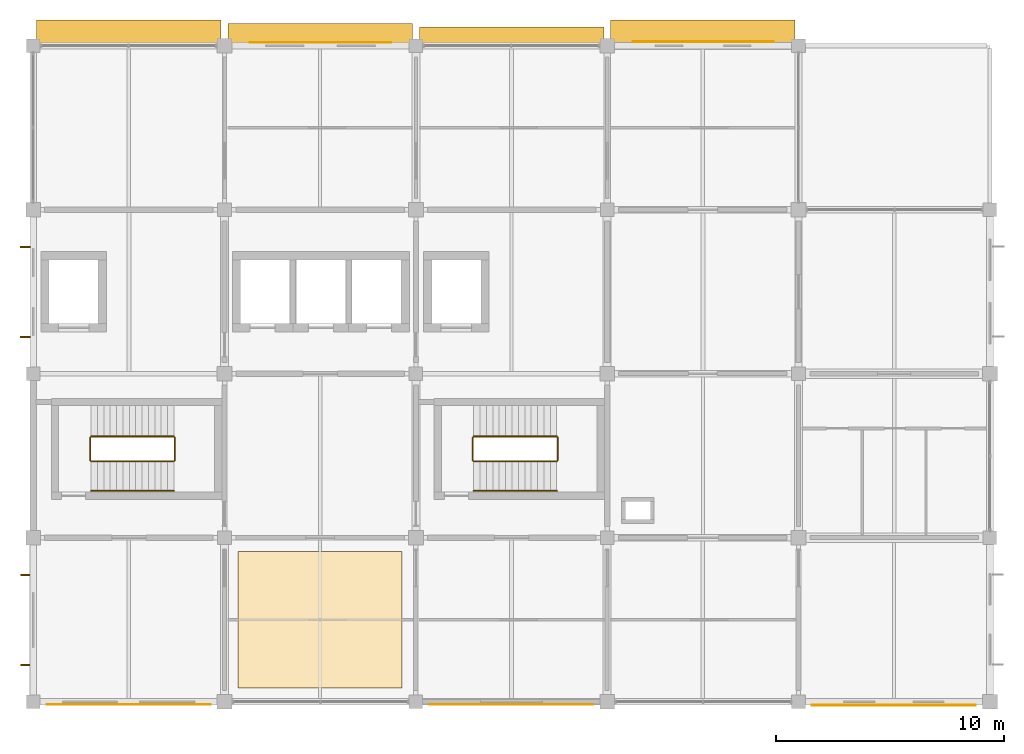
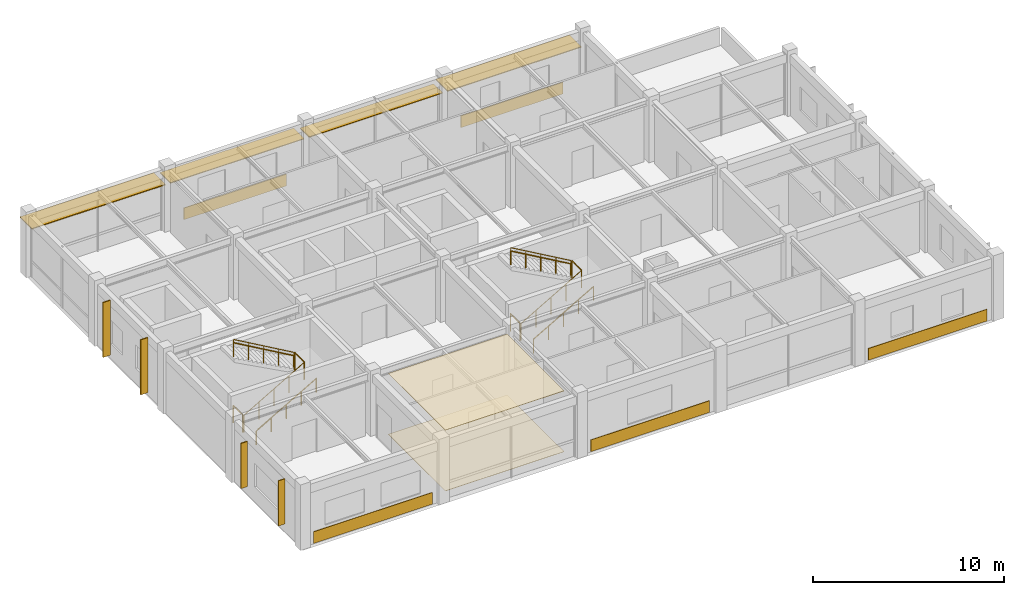
# One storey, part 12 of 13: 12 railings, 8 shading devices, 7 coverings.
"""IFC4 building model written with IfcOpenShell, lengths in metres."""

from ifc_helpers import new_model, si_unit, derived_unit, direction, frame, origin, origin_2d, place, context, subcontext, project, spatial, polyline, rectangle, circle, outline, extrude, material, layer, layer_set, type_object, element, save


model = new_model("IFC4")

# Units and contexts
model_context = context("Model", 3, precision=1e-05, world=origin(), true_north=direction((0.0, 1.0)))
body_context = subcontext(model_context, "Body", "Model", "MODEL_VIEW")
ifc_project = project(units=[si_unit("LENGTHUNIT", "METRE"), si_unit("AREAUNIT", "SQUARE_METRE"), si_unit("VOLUMEUNIT", "CUBIC_METRE"), si_unit("PLANEANGLEUNIT", "RADIAN"), si_unit("MASSUNIT", "GRAM", prefix="KILO"), derived_unit("THERMALTRANSMITTANCEUNIT", [(si_unit("MASSUNIT", "GRAM", prefix="KILO"), 1), (si_unit("TIMEUNIT", "SECOND"), -3), (si_unit("THERMODYNAMICTEMPERATUREUNIT", "KELVIN"), -1)])], contexts=[model_context])

# Site, building, storey
site_placement = place(None, origin())
site = spatial("IfcSite", under=ifc_project, at=site_placement, CompositionType="ELEMENT")
building_placement = place(site_placement, origin())
building = spatial("IfcBuilding", under=site, at=building_placement, Name="Veldstrom Oceanarium and Marine Research Institute", CompositionType="ELEMENT")
storey_placement = place(building_placement, frame((0.0, 0.0, 52.199951171875)))
storey = spatial("IfcBuildingStorey", under=building, at=storey_placement, Name="L11", CompositionType="ELEMENT", Elevation=52.199951171875)

# Coverings
ifc_material_1 = material(Name="Anodised Aluminium Spandrel Rainscreen Cladding", Category="aluminium")
ifc_layer_1 = layer(ifc_material_1, 0.75)
ifc_layer_set_1 = layer_set([ifc_layer_1], Name="ARC-COV-CD1")
covering_type_1 = type_object("IfcCoveringType", Name="ARC-COV-CD1", PredefinedType="CLADDING", material=ifc_layer_set_1)
for number, where, z_axis, x_axis, name in (
    (1, (79.78759765625, 43.0791015625, 0.045166015625), (0.0, 0.0, 1.0), (1.0, 0.0, 0.0), "Spandrel Rainscreen Cladding L11-146"),
    (2, (96.58740234375, 43.0791015625, 0.045166015625), (0.0, 0.0, 1.0), (1.0, 0.0, 0.0), "Spandrel Rainscreen Cladding L11-150"),
    (3, (113.387451171875, 43.04150390625, 0.045166015625), (0.0, 0.0, 1.0), (1.0, 0.0, 0.0), "Spandrel Rainscreen Cladding L11-152"),
):
    element("IfcCovering", number, at=place(storey_placement, frame(where, z_axis=z_axis, x_axis=x_axis)), inside=storey, type_object=covering_type_1, Name=name, PredefinedType="CLADDING", context=body_context, shape_type="SweptSolid", body=[
        extrude(rectangle(XDim=7.199951171875, YDim=0.034912109375, at=origin_2d()), origin(), (0.0, 0.0, 1.0), 0.75),
    ])
ifc_material_2 = material(Name="Terracotta Spandrel Rainscreen Cladding", Category="masonry")
ifc_layer_2 = layer(ifc_material_2, 0.75)
ifc_layer_set_2 = layer_set([ifc_layer_2], Name="ARC-COV-CD2")
covering_type_2 = type_object("IfcCoveringType", Name="ARC-COV-CD2", PredefinedType="CLADDING", material=ifc_layer_set_2)
for number, where, z_axis, x_axis, name in (
    (4, (88.21240234375, 72.14111328125, 0.045166015625), (0.0, 0.0, 1.0), (1.0, 0.0, 0.0), "Spandrel Rainscreen Cladding L11-149"),
    (5, (105.012451171875, 72.1708984375, 0.045166015625), (0.0, 0.0, 1.0), (1.0, 0.0, 0.0), "Spandrel Rainscreen Cladding L11-151"),
):
    element("IfcCovering", number, at=place(storey_placement, frame(where, z_axis=z_axis, x_axis=x_axis)), inside=storey, type_object=covering_type_2, Name=name, PredefinedType="CLADDING", context=body_context, shape_type="SweptSolid", body=[
        extrude(rectangle(XDim=6.199951171875, YDim=0.0400390625, at=origin_2d()), origin(), (0.0, 0.0, 1.0), 0.75),
    ])
ifc_material_3 = material(Name="Mineral-Fibre Acoustic Ceiling Tile", Category="gypsum")
ifc_layer_3 = layer(ifc_material_3, 0.02490234375)
ifc_layer_set_3 = layer_set([ifc_layer_3], Name="ARC-COV-CL1")
covering_type_3 = type_object("IfcCoveringType", Name="ARC-COV-CL1", PredefinedType="CEILING", material=ifc_layer_set_3)
covering_1_placement = place(storey_placement, frame((0.0, 0.0, 3.89501953125)))
element("IfcCovering", 6, at=covering_1_placement, inside=storey, type_object=covering_type_3, Name="Suspended Acoustic Ceiling L11", PredefinedType="CEILING", context=body_context, shape_type="SweptSolid", body=[
    extrude(outline(polyline([(84.60009765625, 43.800048828125), (91.800048828125, 43.800048828125), (91.800048828125, 49.800048828125), (84.60009765625, 49.800048828125), (84.60009765625, 43.800048828125)])), origin(), (0.0, 0.0, 1.0), 0.025146484375),
])
ifc_material_4 = material(Name="Polished Terrazzo and Marine Epoxy Flooring", Category="concrete")
ifc_layer_4 = layer(ifc_material_4, 0.02001953125)
ifc_layer_set_4 = layer_set([ifc_layer_4], Name="ARC-COV-FL1")
covering_type_4 = type_object("IfcCoveringType", Name="ARC-COV-FL1", PredefinedType="FLOORING", material=ifc_layer_set_4)
covering_2_placement = place(storey_placement, origin())
element("IfcCovering", 7, at=covering_2_placement, inside=storey, type_object=covering_type_4, Name="Terrazzo and Marine Epoxy Floor Finish L11", PredefinedType="FLOORING", context=body_context, shape_type="SweptSolid", body=[
    extrude(outline(polyline([(84.60009765625, 43.800048828125), (91.800048828125, 43.800048828125), (91.800048828125, 49.800048828125), (84.60009765625, 49.800048828125), (84.60009765625, 43.800048828125)])), origin(), (0.0, 0.0, 1.0), 0.02001953125),
])

# Railings
ifc_material_5 = material(Name="Duplex Stainless Steel Balustrade", Category="steel")
ifc_layer_5 = layer(ifc_material_5, 0.06005859375)
ifc_layer_set_5 = layer_set([ifc_layer_5], Name="ARC-RLG-GR1")
railing_type_1 = type_object("IfcRailingType", Name="ARC-RLG-GR1", PredefinedType="GUARDRAIL", material=ifc_layer_set_5)
railing_1_placement = place(storey_placement, frame((78.10009765625, 53.800048828125, 0.0)))
element("IfcRailing", 8, at=railing_1_placement, inside=storey, type_object=railing_type_1, Name="Stair Well Landing Guard ST1 L11", PredefinedType="GUARDRAIL", context=body_context, shape_type="SweptSolid", body=[
    extrude(circle(Radius=0.02392578125, at=origin_2d()), frame((0.0, 0.0, 1.09619140625), z_axis=(0.0, 1.0, 0.0), x_axis=(-1.0, 0.0, 0.0)), (0.0, 0.0, 1.0), 1.0),
    extrude(circle(Radius=0.02099609375, at=origin_2d()), origin(), (0.0, 0.0, 1.0), 1.072021484375),
    extrude(circle(Radius=0.02099609375, at=origin_2d()), frame((0.0, 1.0, 0.0)), (0.0, 0.0, 1.0), 1.072021484375),
])
railing_2_placement = place(storey_placement, frame((78.139892578125, 53.760009765625, 0.0)))
element("IfcRailing", 9, at=railing_2_placement, inside=storey, type_object=railing_type_1, Name="Stair Flight Guardrail ST1-L11-1", PredefinedType="GUARDRAIL", context=body_context, shape_type="SweptSolid", body=[
    extrude(circle(Radius=0.02392578125, at=origin_2d()), frame((0.0, 0.0, 1.09619140625), z_axis=(0.86618365172, 0.0, 0.499725806311), x_axis=(0.0, 1.0, 0.0)), (0.0, 0.0, 1.0), 4.202392578125),
    extrude(circle(Radius=0.02099609375, at=origin_2d()), origin(), (0.0, 0.0, 1.0), 1.072021484375),
    extrude(circle(Radius=0.02099609375, at=origin_2d()), frame((0.91015625, 0.0, 0.52490234375)), (0.0, 0.0, 1.0), 1.072021484375),
    extrude(circle(Radius=0.02099609375, at=origin_2d()), frame((1.820068359375, 0.0, 1.050048828125)), (0.0, 0.0, 1.0), 1.072021484375),
    extrude(circle(Radius=0.02099609375, at=origin_2d()), frame((2.72998046875, 0.0, 1.5751953125)), (0.0, 0.0, 1.0), 1.072021484375),
    extrude(circle(Radius=0.02099609375, at=origin_2d()), frame((3.64013671875, 0.0, 2.10009765625)), (0.0, 0.0, 1.0), 1.072021484375),
])
railing_3_placement = place(storey_placement, frame((81.820068359375, 53.800048828125, 2.10009765625)))
element("IfcRailing", 10, at=railing_3_placement, inside=storey, type_object=railing_type_1, Name="Stair Half-Landing Guardrail ST1-L11", PredefinedType="GUARDRAIL", context=body_context, shape_type="SweptSolid", body=[
    extrude(circle(Radius=0.02392578125, at=origin_2d()), frame((0.0, 0.0, 1.09619140625), z_axis=(0.0, 1.0, 0.0), x_axis=(-1.0, 0.0, 0.0)), (0.0, 0.0, 1.0), 1.0),
    extrude(circle(Radius=0.02099609375, at=origin_2d()), origin(), (0.0, 0.0, 1.0), 1.072021484375),
    extrude(circle(Radius=0.02099609375, at=origin_2d()), frame((0.0, 1.0, 0.0)), (0.0, 0.0, 1.0), 1.072021484375),
])
railing_4_placement = place(storey_placement, frame((81.780029296875, 54.840087890625, 2.10009765625)))
element("IfcRailing", 11, at=railing_4_placement, inside=storey, type_object=railing_type_1, Name="Stair Flight Guardrail ST1-L11-2", PredefinedType="GUARDRAIL", context=body_context, shape_type="SweptSolid", body=[
    extrude(circle(Radius=0.02392578125, at=origin_2d()), frame((0.0, 0.0, 1.09619140625), z_axis=(-0.866208797654, 0.0, 0.499682217882), x_axis=(0.0, -1.0, 0.0)), (0.0, 0.0, 1.0), 4.202392578125),
    extrude(circle(Radius=0.02099609375, at=origin_2d()), origin(), (0.0, 0.0, 1.0), 1.072021484375),
    extrude(circle(Radius=0.02099609375, at=origin_2d()), frame((-0.91015625, 0.0, 0.52490234375)), (0.0, 0.0, 1.0), 1.072021484375),
    extrude(circle(Radius=0.02099609375, at=origin_2d()), frame((-1.820068359375, 0.0, 1.0498046875)), (0.0, 0.0, 1.0), 1.072021484375),
    extrude(circle(Radius=0.02099609375, at=origin_2d()), frame((-2.72998046875, 0.0, 1.574951171875)), (0.0, 0.0, 1.0), 1.072021484375),
    extrude(circle(Radius=0.02099609375, at=origin_2d()), frame((-3.64013671875, 0.0, 2.099853515625)), (0.0, 0.0, 1.0), 1.072021484375),
])
railing_5_placement = place(storey_placement, frame((94.89990234375, 53.800048828125, 0.0)))
element("IfcRailing", 12, at=railing_5_placement, inside=storey, type_object=railing_type_1, Name="Stair Well Landing Guard ST2 L11", PredefinedType="GUARDRAIL", context=body_context, shape_type="SweptSolid", body=[
    extrude(circle(Radius=0.02392578125, at=origin_2d()), frame((0.0, 0.0, 1.09619140625), z_axis=(0.0, 1.0, 0.0), x_axis=(-1.0, 0.0, 0.0)), (0.0, 0.0, 1.0), 1.0),
    extrude(circle(Radius=0.02099609375, at=origin_2d()), origin(), (0.0, 0.0, 1.0), 1.072021484375),
    extrude(circle(Radius=0.02099609375, at=origin_2d()), frame((0.0, 1.0, 0.0)), (0.0, 0.0, 1.0), 1.072021484375),
])
railing_6_placement = place(storey_placement, frame((94.93994140625, 53.760009765625, 0.0)))
element("IfcRailing", 13, at=railing_6_placement, inside=storey, type_object=railing_type_1, Name="Stair Flight Guardrail ST2-L11-1", PredefinedType="GUARDRAIL", context=body_context, shape_type="SweptSolid", body=[
    extrude(circle(Radius=0.02392578125, at=origin_2d()), frame((0.0, 0.0, 1.09619140625), z_axis=(0.86618365172, 0.0, 0.499725806311), x_axis=(0.0, 1.0, 0.0)), (0.0, 0.0, 1.0), 4.202392578125),
    extrude(circle(Radius=0.02099609375, at=origin_2d()), origin(), (0.0, 0.0, 1.0), 1.072021484375),
    extrude(circle(Radius=0.02099609375, at=origin_2d()), frame((0.91015625, 0.0, 0.52490234375)), (0.0, 0.0, 1.0), 1.072021484375),
    extrude(circle(Radius=0.02099609375, at=origin_2d()), frame((1.820068359375, 0.0, 1.050048828125)), (0.0, 0.0, 1.0), 1.072021484375),
    extrude(circle(Radius=0.02099609375, at=origin_2d()), frame((2.72998046875, 0.0, 1.5751953125)), (0.0, 0.0, 1.0), 1.072021484375),
    extrude(circle(Radius=0.02099609375, at=origin_2d()), frame((3.64013671875, 0.0, 2.10009765625)), (0.0, 0.0, 1.0), 1.072021484375),
])
railing_7_placement = place(storey_placement, frame((98.6201171875, 53.800048828125, 2.10009765625)))
element("IfcRailing", 14, at=railing_7_placement, inside=storey, type_object=railing_type_1, Name="Stair Half-Landing Guardrail ST2-L11", PredefinedType="GUARDRAIL", context=body_context, shape_type="SweptSolid", body=[
    extrude(circle(Radius=0.02392578125, at=origin_2d()), frame((0.0, 0.0, 1.09619140625), z_axis=(0.0, 1.0, 0.0), x_axis=(-1.0, 0.0, 0.0)), (0.0, 0.0, 1.0), 1.0),
    extrude(circle(Radius=0.02099609375, at=origin_2d()), origin(), (0.0, 0.0, 1.0), 1.072021484375),
    extrude(circle(Radius=0.02099609375, at=origin_2d()), frame((0.0, 1.0, 0.0)), (0.0, 0.0, 1.0), 1.072021484375),
])
railing_8_placement = place(storey_placement, frame((98.580078125, 54.840087890625, 2.10009765625)))
element("IfcRailing", 15, at=railing_8_placement, inside=storey, type_object=railing_type_1, Name="Stair Flight Guardrail ST2-L11-2", PredefinedType="GUARDRAIL", context=body_context, shape_type="SweptSolid", body=[
    extrude(circle(Radius=0.02392578125, at=origin_2d()), frame((0.0, 0.0, 1.09619140625), z_axis=(-0.866208797654, 0.0, 0.499682217882), x_axis=(0.0, -1.0, 0.0)), (0.0, 0.0, 1.0), 4.202392578125),
    extrude(circle(Radius=0.02099609375, at=origin_2d()), origin(), (0.0, 0.0, 1.0), 1.072021484375),
    extrude(circle(Radius=0.02099609375, at=origin_2d()), frame((-0.91015625, 0.0, 0.52490234375)), (0.0, 0.0, 1.0), 1.072021484375),
    extrude(circle(Radius=0.02099609375, at=origin_2d()), frame((-1.820068359375, 0.0, 1.0498046875)), (0.0, 0.0, 1.0), 1.072021484375),
    extrude(circle(Radius=0.02099609375, at=origin_2d()), frame((-2.72998046875, 0.0, 1.574951171875)), (0.0, 0.0, 1.0), 1.072021484375),
    extrude(circle(Radius=0.02099609375, at=origin_2d()), frame((-3.64013671875, 0.0, 2.099853515625)), (0.0, 0.0, 1.0), 1.072021484375),
])
ifc_material_6 = material(Name="Brushed Stainless Steel Handrail", Category="steel")
ifc_layer_6 = layer(ifc_material_6, 0.050048828125)
ifc_layer_set_6 = layer_set([ifc_layer_6], Name="ARC-RLG-HR1")
railing_type_2 = type_object("IfcRailingType", Name="ARC-RLG-HR1", PredefinedType="HANDRAIL", material=ifc_layer_set_6)
railing_9_placement = place(storey_placement, frame((78.139892578125, 52.4599609375, 0.0)))
element("IfcRailing", 16, at=railing_9_placement, inside=storey, type_object=railing_type_2, Name="Stair Wall Handrail ST1-L11-1", PredefinedType="HANDRAIL", context=body_context, shape_type="SweptSolid", body=[
    extrude(circle(Radius=0.02392578125, at=origin_2d()), frame((0.0, 0.0, 0.8759765625), z_axis=(0.86618365172, 0.0, 0.499725806311), x_axis=(0.0, 1.0, 0.0)), (0.0, 0.0, 1.0), 4.202392578125),
    extrude(circle(Radius=0.02099609375, at=origin_2d()), origin(), (0.0, 0.0, 1.0), 0.851806640625),
    extrude(circle(Radius=0.02099609375, at=origin_2d()), frame((0.91015625, 0.0, 0.52490234375)), (0.0, 0.0, 1.0), 0.851806640625),
    extrude(circle(Radius=0.02099609375, at=origin_2d()), frame((1.820068359375, 0.0, 1.050048828125)), (0.0, 0.0, 1.0), 0.851806640625),
    extrude(circle(Radius=0.02099609375, at=origin_2d()), frame((2.72998046875, 0.0, 1.5751953125)), (0.0, 0.0, 1.0), 0.851806640625),
    extrude(circle(Radius=0.02099609375, at=origin_2d()), frame((3.64013671875, 0.0, 2.10009765625)), (0.0, 0.0, 1.0), 0.851806640625),
])
railing_10_placement = place(storey_placement, frame((81.780029296875, 54.860107421875, 2.10009765625)))
element("IfcRailing", 17, at=railing_10_placement, inside=storey, type_object=railing_type_2, Name="Stair Wall Handrail ST1-L11-2", PredefinedType="HANDRAIL", context=body_context, shape_type="SweptSolid", body=[
    extrude(circle(Radius=0.02392578125, at=origin_2d()), frame((0.0, 0.0, 0.8759765625), z_axis=(-0.866208797654, 0.0, 0.499682217882), x_axis=(0.0, -1.0, 0.0)), (0.0, 0.0, 1.0), 4.202392578125),
    extrude(circle(Radius=0.02099609375, at=origin_2d()), origin(), (0.0, 0.0, 1.0), 0.851806640625),
    extrude(circle(Radius=0.02099609375, at=origin_2d()), frame((-0.91015625, 0.0, 0.52490234375)), (0.0, 0.0, 1.0), 0.851806640625),
    extrude(circle(Radius=0.02099609375, at=origin_2d()), frame((-1.820068359375, 0.0, 1.0498046875)), (0.0, 0.0, 1.0), 0.851806640625),
    extrude(circle(Radius=0.02099609375, at=origin_2d()), frame((-2.72998046875, 0.0, 1.574951171875)), (0.0, 0.0, 1.0), 0.851806640625),
    extrude(circle(Radius=0.02099609375, at=origin_2d()), frame((-3.64013671875, 0.0, 2.099853515625)), (0.0, 0.0, 1.0), 0.851806640625),
])
railing_11_placement = place(storey_placement, frame((94.93994140625, 52.4599609375, 0.0)))
element("IfcRailing", 18, at=railing_11_placement, inside=storey, type_object=railing_type_2, Name="Stair Wall Handrail ST2-L11-1", PredefinedType="HANDRAIL", context=body_context, shape_type="SweptSolid", body=[
    extrude(circle(Radius=0.02392578125, at=origin_2d()), frame((0.0, 0.0, 0.8759765625), z_axis=(0.86618365172, 0.0, 0.499725806311), x_axis=(0.0, 1.0, 0.0)), (0.0, 0.0, 1.0), 4.202392578125),
    extrude(circle(Radius=0.02099609375, at=origin_2d()), origin(), (0.0, 0.0, 1.0), 0.851806640625),
    extrude(circle(Radius=0.02099609375, at=origin_2d()), frame((0.91015625, 0.0, 0.52490234375)), (0.0, 0.0, 1.0), 0.851806640625),
    extrude(circle(Radius=0.02099609375, at=origin_2d()), frame((1.820068359375, 0.0, 1.050048828125)), (0.0, 0.0, 1.0), 0.851806640625),
    extrude(circle(Radius=0.02099609375, at=origin_2d()), frame((2.72998046875, 0.0, 1.5751953125)), (0.0, 0.0, 1.0), 0.851806640625),
    extrude(circle(Radius=0.02099609375, at=origin_2d()), frame((3.64013671875, 0.0, 2.10009765625)), (0.0, 0.0, 1.0), 0.851806640625),
])
railing_12_placement = place(storey_placement, frame((98.580078125, 54.860107421875, 2.10009765625)))
element("IfcRailing", 19, at=railing_12_placement, inside=storey, type_object=railing_type_2, Name="Stair Wall Handrail ST2-L11-2", PredefinedType="HANDRAIL", context=body_context, shape_type="SweptSolid", body=[
    extrude(circle(Radius=0.02392578125, at=origin_2d()), frame((0.0, 0.0, 0.8759765625), z_axis=(-0.866208797654, 0.0, 0.499682217882), x_axis=(0.0, -1.0, 0.0)), (0.0, 0.0, 1.0), 4.202392578125),
    extrude(circle(Radius=0.02099609375, at=origin_2d()), origin(), (0.0, 0.0, 1.0), 0.851806640625),
    extrude(circle(Radius=0.02099609375, at=origin_2d()), frame((-0.91015625, 0.0, 0.52490234375)), (0.0, 0.0, 1.0), 0.851806640625),
    extrude(circle(Radius=0.02099609375, at=origin_2d()), frame((-1.820068359375, 0.0, 1.0498046875)), (0.0, 0.0, 1.0), 0.851806640625),
    extrude(circle(Radius=0.02099609375, at=origin_2d()), frame((-2.72998046875, 0.0, 1.574951171875)), (0.0, 0.0, 1.0), 0.851806640625),
    extrude(circle(Radius=0.02099609375, at=origin_2d()), frame((-3.64013671875, 0.0, 2.099853515625)), (0.0, 0.0, 1.0), 0.851806640625),
])

# Shading devices
ifc_material_7 = material(Name="Precast Terracotta Brise-Soleil Louvre", Category="masonry")
ifc_layer_7 = layer(ifc_material_7, 3.60009765625)
ifc_layer_set_7 = layer_set([ifc_layer_7], Name="ARC-SHD-BS01")
shading_device_type_1 = type_object("IfcShadingDeviceType", Name="ARC-SHD-BS01", PredefinedType="JALOUSIE", material=ifc_layer_set_7)
for number, where, z_axis, x_axis, name in (
    (20, (75.2451171875, 59.215087890625, 0.199951171875), (0.0, 0.0, 1.0), (1.0, 0.0, 0.0), "Terracotta Brise-Soleil Louvre L11-148"),
    (21, (75.2451171875, 63.159912109375, 0.199951171875), (0.0, 0.0, 1.0), (1.0, 0.0, 0.0), "Terracotta Brise-Soleil Louvre L11-148"),
):
    element("IfcShadingDevice", number, at=place(storey_placement, frame(where, z_axis=z_axis, x_axis=x_axis)), inside=storey, type_object=shading_device_type_1, Name=name, PredefinedType="JALOUSIE", context=body_context, shape_type="SweptSolid", body=[
        extrude(rectangle(XDim=0.449951171875, YDim=0.06005859375, at=origin_2d()), origin(), (0.0, 0.0, 1.0), 3.52001953125),
    ])
ifc_material_8 = material(Name="Precast Terracotta Brise-Soleil Louvre", Category="masonry")
ifc_layer_8 = layer(ifc_material_8, 2.89990234375)
ifc_layer_set_8 = layer_set([ifc_layer_8], Name="ARC-SHD-BS04")
shading_device_type_2 = type_object("IfcShadingDeviceType", Name="ARC-SHD-BS04", PredefinedType="JALOUSIE", material=ifc_layer_set_8)
for number, where, z_axis, x_axis, name in (
    (22, (75.25, 44.81494140625, 0.510009765625), (0.0, 0.0, 1.0), (1.0, 0.0, 0.0), "Terracotta Brise-Soleil Louvre L11-147"),
    (23, (75.25, 48.760009765625, 0.510009765625), (0.0, 0.0, 1.0), (1.0, 0.0, 0.0), "Terracotta Brise-Soleil Louvre L11-147"),
):
    element("IfcShadingDevice", number, at=place(storey_placement, frame(where, z_axis=z_axis, x_axis=x_axis)), inside=storey, type_object=shading_device_type_2, Name=name, PredefinedType="JALOUSIE", context=body_context, shape_type="SweptSolid", body=[
        extrude(rectangle(XDim=0.39990234375, YDim=0.054931640625, at=origin_2d()), origin(), (0.0, 0.0, 1.0), 2.89990234375),
    ])
ifc_material_9 = material(Name="Perforated Anodised Aluminium Louvre", Category="aluminium")
ifc_layer_9 = layer(ifc_material_9, 0.054931640625)
ifc_layer_set_9 = layer_set([ifc_layer_9], Name="ARC-SHD-SH01")
shading_device_type_3 = type_object("IfcShadingDeviceType", Name="ARC-SHD-SH01", PredefinedType="AWNING", material=ifc_layer_set_9)
for number, where, z_axis, x_axis, name in (
    (24, (79.800048828125, 72.5048828125, 2.85009765625), (0.0, 0.0, 1.0), (1.0, 0.0, 0.0), "North Solar Canopy Louvre L11-10"),
    (25, (105.0, 72.5048828125, 2.85009765625), (0.0, 0.0, 1.0), (1.0, 0.0, 0.0), "North Solar Canopy Louvre L11-13"),
):
    element("IfcShadingDevice", number, at=place(storey_placement, frame(where, z_axis=z_axis, x_axis=x_axis)), inside=storey, type_object=shading_device_type_3, Name=name, PredefinedType="AWNING", context=body_context, shape_type="SweptSolid", body=[
        extrude(rectangle(XDim=8.10009765625, YDim=1.25, at=origin_2d()), origin(), (0.0, 0.0, 1.0), 0.054931640625),
    ])
ifc_material_10 = material(Name="Perforated Anodised Aluminium Louvre", Category="aluminium")
ifc_layer_10 = layer(ifc_material_10, 0.050048828125)
ifc_layer_set_10 = layer_set([ifc_layer_10], Name="ARC-SHD-SH02")
shading_device_type_4 = type_object("IfcShadingDeviceType", Name="ARC-SHD-SH02", PredefinedType="AWNING", material=ifc_layer_set_10)
shading_device_1_placement = place(storey_placement, frame((88.199951171875, 72.429931640625, 2.85009765625), z_axis=(0.0, 0.0, 1.0), x_axis=(1.0, 0.0, 0.0)))
element("IfcShadingDevice", 26, at=shading_device_1_placement, inside=storey, type_object=shading_device_type_4, Name="North Solar Canopy Louvre L11-11", PredefinedType="AWNING", context=body_context, shape_type="SweptSolid", body=[
    extrude(rectangle(XDim=8.10009765625, YDim=1.10009765625, at=origin_2d()), origin(), (0.0, 0.0, 1.0), 0.050048828125),
])
ifc_material_11 = material(Name="Perforated Anodised Aluminium Louvre", Category="aluminium")
ifc_layer_11 = layer(ifc_material_11, 0.044921875)
ifc_layer_set_11 = layer_set([ifc_layer_11], Name="ARC-SHD-SH03")
shading_device_type_5 = type_object("IfcShadingDeviceType", Name="ARC-SHD-SH03", PredefinedType="AWNING", material=ifc_layer_set_11)
shading_device_2_placement = place(storey_placement, frame((96.60009765625, 72.35498046875, 2.85009765625), z_axis=(0.0, 0.0, 1.0), x_axis=(1.0, 0.0, 0.0)))
element("IfcShadingDevice", 27, at=shading_device_2_placement, inside=storey, type_object=shading_device_type_5, Name="North Solar Canopy Louvre L11-12", PredefinedType="AWNING", context=body_context, shape_type="SweptSolid", body=[
    extrude(rectangle(XDim=8.10009765625, YDim=0.949951171875, at=origin_2d()), origin(), (0.0, 0.0, 1.0), 0.044921875),
])

save(model, "model.ifc")
